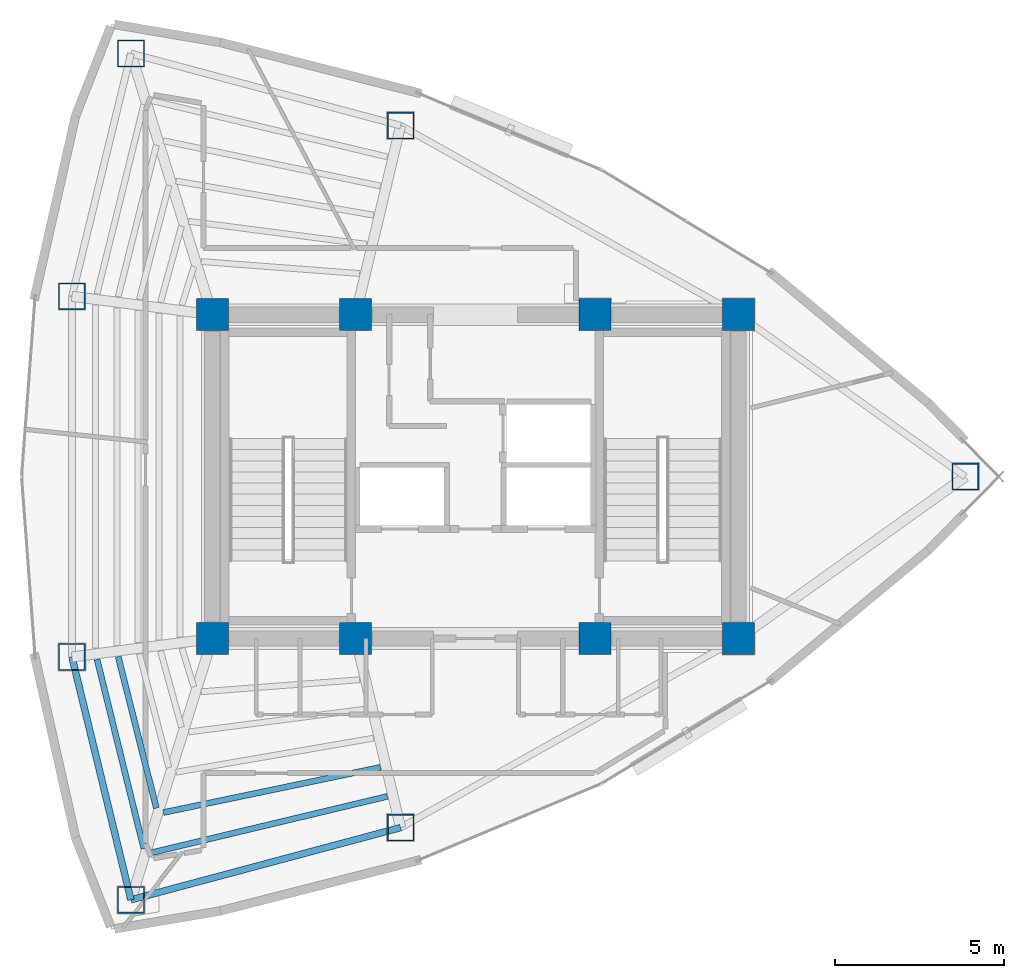
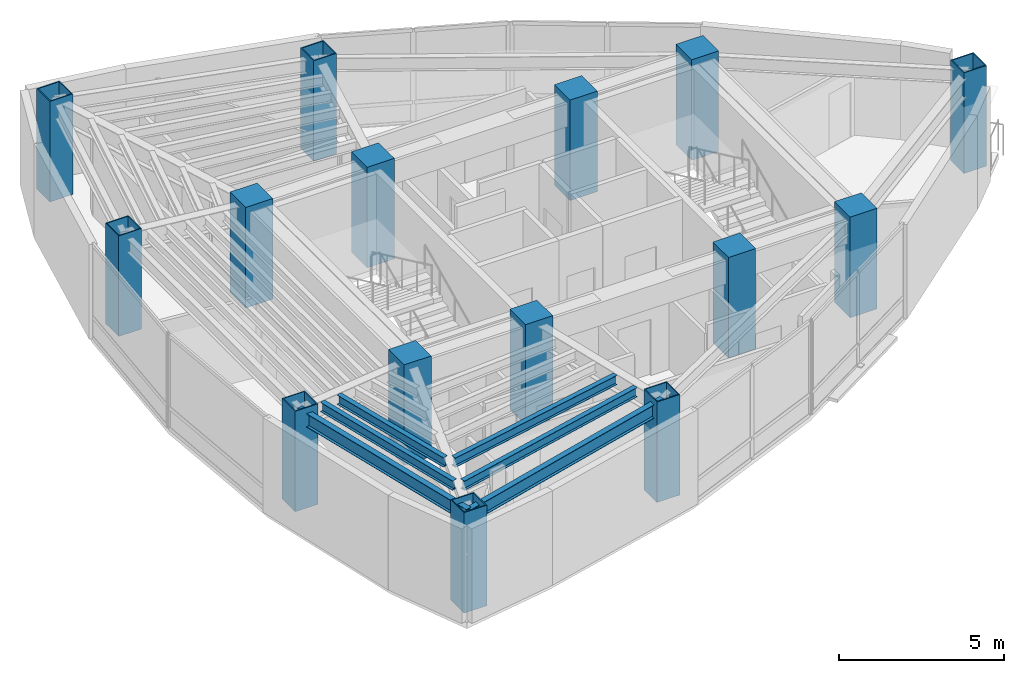
# One storey, part 1 of 15: 15 columns, 6 beams.
"""IFC4 building model written with IfcOpenShell, lengths in metres."""

from ifc_helpers import new_model, si_unit, direction, frame, origin, origin_2d, place, context, subcontext, project, spatial, rectangle, hollow_rectangle, i_section, extrude, material, material_profile, profile_set, type_object, element, save


model = new_model("IFC4")

# Units and contexts
model_context = context("Model", 3, precision=1e-05, world=origin(), true_north=direction((0.0, 1.0)))
body_context = subcontext(model_context, "Body", "Model", "MODEL_VIEW")
ifc_project = project(units=[si_unit("LENGTHUNIT", "METRE"), si_unit("AREAUNIT", "SQUARE_METRE"), si_unit("VOLUMEUNIT", "CUBIC_METRE"), si_unit("PLANEANGLEUNIT", "RADIAN"), si_unit("MASSUNIT", "GRAM", prefix="KILO")], contexts=[model_context])

# Site, building, storey
site_placement = place(None, origin())
site = spatial("IfcSite", under=ifc_project, at=site_placement, CompositionType="ELEMENT")
building_placement = place(site_placement, origin())
building = spatial("IfcBuilding", under=site, at=building_placement, Name="Menara Vayukalpa", CompositionType="ELEMENT")
storey_placement = place(building_placement, frame((0.0, 0.0, 254.580078125)))
storey = spatial("IfcBuildingStorey", under=building, at=storey_placement, Name="L64", CompositionType="ELEMENT", Elevation=254.580078125)

# Columns
ifc_material_1 = material(Name="Concrete C60/75", Category="concrete")
ifc_material_profile_1 = material_profile(ifc_material_1, rectangle(XDim=0.949951171875, YDim=0.949951171875, at=origin_2d()), Name="RC 950x950")
ifc_profile_set_1 = profile_set([ifc_material_profile_1], Name="Concrete C60/75")
column_type_1 = type_object("IfcColumnType", Name="COL-CC2", PredefinedType="COLUMN", material=ifc_profile_set_1)
for number, where, z_axis, x_axis, name in (
    (1, (17.800048828125, 17.199951171875, 0.0), (0.0, 0.0, 1.0), (1.0, 0.0, 0.0), "L64 Core Pilaster Column CC1"),
    (2, (22.050048828125, 17.199951171875, 0.0), (0.0, 0.0, 1.0), (1.0, 0.0, 0.0), "L64 Core Pilaster Column CC2"),
    (3, (29.14990234375, 17.199951171875, 0.0), (0.0, 0.0, 1.0), (1.0, 0.0, 0.0), "L64 Core Pilaster Column CC3"),
    (4, (33.39990234375, 17.199951171875, 0.0), (0.0, 0.0, 1.0), (1.0, 0.0, 0.0), "L64 Core Pilaster Column CC4"),
    (5, (17.800048828125, 26.800048828125, 0.0), (0.0, 0.0, 1.0), (1.0, 0.0, 0.0), "L64 Core Pilaster Column CC5"),
    (6, (22.050048828125, 26.800048828125, 0.0), (0.0, 0.0, 1.0), (1.0, 0.0, 0.0), "L64 Core Pilaster Column CC6"),
    (7, (29.14990234375, 26.800048828125, 0.0), (0.0, 0.0, 1.0), (1.0, 0.0, 0.0), "L64 Core Pilaster Column CC7"),
    (8, (33.39990234375, 26.800048828125, 0.0), (0.0, 0.0, 1.0), (1.0, 0.0, 0.0), "L64 Core Pilaster Column CC8"),
):
    element("IfcColumn", number, at=place(storey_placement, frame(where, z_axis=z_axis, x_axis=x_axis)), inside=storey, type_object=column_type_1, Name=name, PredefinedType="COLUMN", context=body_context, shape_type="SweptSolid", body=[
        extrude(rectangle(XDim=0.949951171875, YDim=0.949951171875, at=origin_2d()), origin(), (0.0, 0.0, 1.0), 3.719970703125),
    ])
ifc_material_2 = material(Name="Steel S355", Category="steel")
ifc_material_profile_2 = material_profile(ifc_material_2, hollow_rectangle(XDim=0.800048828125, YDim=0.800048828125, WallThickness=0.034912109375, at=origin_2d()), Name="BOX 800x800x35")
ifc_profile_set_2 = profile_set([ifc_material_profile_2], Name="Steel S355")
column_type_2 = type_object("IfcColumnType", Name="COL-MC5", PredefinedType="COLUMN", material=ifc_profile_set_2)
for number, where, z_axis, x_axis, name in (
    (9, (40.121826171875, 22.0, 0.0), (0.0, 0.0, 1.0), (1.0, 0.0, 0.0), "L64 Perimeter Mega Column P01"),
    (10, (23.3818359375, 32.40478515625, 0.0), (0.0, 0.0, 1.0), (1.0, 0.0, 0.0), "L64 Perimeter Mega Column P03"),
    (11, (15.38916015625, 34.544677734375, 0.0), (0.0, 0.0, 1.0), (1.0, 0.0, 0.0), "L64 Perimeter Mega Column P04"),
    (12, (13.638916015625, 27.3466796875, 0.0), (0.0, 0.0, 1.0), (1.0, 0.0, 0.0), "L64 Perimeter Mega Column P05"),
    (13, (13.638916015625, 16.6533203125, 0.0), (0.0, 0.0, 1.0), (1.0, 0.0, 0.0), "L64 Perimeter Mega Column P06"),
    (14, (15.38916015625, 9.455322265625, 0.0), (0.0, 0.0, 1.0), (1.0, 0.0, 0.0), "L64 Perimeter Mega Column P07"),
    (15, (23.3818359375, 11.59521484375, 0.0), (0.0, 0.0, 1.0), (1.0, 0.0, 0.0), "L64 Perimeter Mega Column P08"),
):
    element("IfcColumn", number, at=place(storey_placement, frame(where, z_axis=z_axis, x_axis=x_axis)), inside=storey, type_object=column_type_2, Name=name, PredefinedType="COLUMN", context=body_context, shape_type="SweptSolid", body=[
        extrude(hollow_rectangle(XDim=0.800048828125, YDim=0.800048828125, WallThickness=0.034912109375, at=origin_2d()), origin(), (0.0, 0.0, 1.0), 3.719970703125),
    ])

# Beams
ifc_material_3 = material(Name="Steel S355", Category="steel")
ifc_material_profile_3 = material_profile(ifc_material_3, i_section(OverallWidth=0.175048828125, OverallDepth=0.35009765625, WebThickness=0.007080078125, FlangeThickness=0.010986328125, at=origin_2d()), Name="WF 350x175x7x11")
ifc_profile_set_3 = profile_set([ifc_material_profile_3], Name="Steel S355")
beam_type_1 = type_object("IfcBeamType", Name="BM-SJ3", PredefinedType="JOIST", material=ifc_profile_set_3)
beam_1_placement = place(storey_placement, frame((15.010986328125, 16.6630859375, 3.324951171875), z_axis=(0.244247063973, -0.969713035769, 0.0), x_axis=(0.969713035769, 0.244247063973, 0.0)))
element("IfcBeam", 16, at=beam_1_placement, inside=storey, type_object=beam_type_1, Name="L64 Secondary Floor Joist SJ06-4", PredefinedType="JOIST", context=body_context, shape_type="SweptSolid", body=[
    extrude(i_section(OverallWidth=0.175048828125, OverallDepth=0.35009765625, WebThickness=0.007080078125, FlangeThickness=0.010986328125, at=origin_2d()), origin(), (0.0, 0.0, 1.0), 4.630859375),
])
beam_2_placement = place(storey_placement, frame((14.384033203125, 16.580810546875, 3.324951171875), z_axis=(0.239671161383, -0.970854126222, 0.0), x_axis=(0.970854126222, 0.239671161383, 0.0)))
element("IfcBeam", 17, at=beam_2_placement, inside=storey, type_object=beam_type_1, Name="L64 Secondary Floor Joist SJ06-5", PredefinedType="JOIST", context=body_context, shape_type="SweptSolid", body=[
    extrude(i_section(OverallWidth=0.175048828125, OverallDepth=0.35009765625, WebThickness=0.007080078125, FlangeThickness=0.010986328125, at=origin_2d()), origin(), (0.0, 0.0, 1.0), 5.77783203125),
])
beam_3_placement = place(storey_placement, frame((16.35009765625, 12.0419921875, 3.324951171875), z_axis=(0.978941451827, 0.204141210671, 0.0), x_axis=(-0.204141210671, 0.978941451827, 0.0)))
element("IfcBeam", 18, at=beam_3_placement, inside=storey, type_object=beam_type_1, Name="L64 Secondary Floor Joist SJ07-4", PredefinedType="JOIST", context=body_context, shape_type="SweptSolid", body=[
    extrude(i_section(OverallWidth=0.175048828125, OverallDepth=0.35009765625, WebThickness=0.007080078125, FlangeThickness=0.010986328125, at=origin_2d()), origin(), (0.0, 0.0, 1.0), 6.570556640625),
])
beam_4_placement = place(storey_placement, frame((15.97509765625, 10.845947265625, 3.324951171875), z_axis=(0.972642465748, 0.232307197097, 0.0), x_axis=(-0.232307197097, 0.972642465748, 0.0)))
element("IfcBeam", 19, at=beam_4_placement, inside=storey, type_object=beam_type_1, Name="L64 Secondary Floor Joist SJ07-5", PredefinedType="JOIST", context=body_context, shape_type="SweptSolid", body=[
    extrude(i_section(OverallWidth=0.175048828125, OverallDepth=0.35009765625, WebThickness=0.007080078125, FlangeThickness=0.010986328125, at=origin_2d()), origin(), (0.0, 0.0, 1.0), 7.20947265625),
])
ifc_material_4 = material(Name="Steel S355", Category="steel")
ifc_material_profile_4 = material_profile(ifc_material_4, i_section(OverallWidth=0.199951171875, OverallDepth=0.5, WebThickness=0.010009765625, FlangeThickness=0.01611328125, at=origin_2d()), Name="WF 500x200x10x16")
ifc_profile_set_4 = profile_set([ifc_material_profile_4], Name="Steel S355")
beam_type_2 = type_object("IfcBeamType", Name="BM-SP3", PredefinedType="SPANDREL", material=ifc_profile_set_4)
beam_5_placement = place(storey_placement, frame((13.638916015625, 16.6533203125, 3.25), z_axis=(0.236272525754, -0.97168682896, 0.0), x_axis=(0.97168682896, 0.236272525754, 0.0)))
element("IfcBeam", 20, at=beam_5_placement, inside=storey, type_object=beam_type_2, Name="L64 Perimeter Spandrel Beam SP06", PredefinedType="SPANDREL", context=body_context, shape_type="SweptSolid", body=[
    extrude(i_section(OverallWidth=0.199951171875, OverallDepth=0.5, WebThickness=0.010009765625, FlangeThickness=0.01611328125, at=origin_2d()), origin(), (0.0, 0.0, 1.0), 7.40771484375),
])
beam_6_placement = place(storey_placement, frame((15.38916015625, 9.455322265625, 3.25), z_axis=(0.965978332552, 0.258623009494, 0.0), x_axis=(-0.258623009494, 0.965978332552, 0.0)))
element("IfcBeam", 21, at=beam_6_placement, inside=storey, type_object=beam_type_2, Name="L64 Perimeter Spandrel Beam SP07", PredefinedType="SPANDREL", context=body_context, shape_type="SweptSolid", body=[
    extrude(i_section(OverallWidth=0.199951171875, OverallDepth=0.5, WebThickness=0.010009765625, FlangeThickness=0.01611328125, at=origin_2d()), origin(), (0.0, 0.0, 1.0), 8.274169921875),
])

save(model, "model.ifc")
